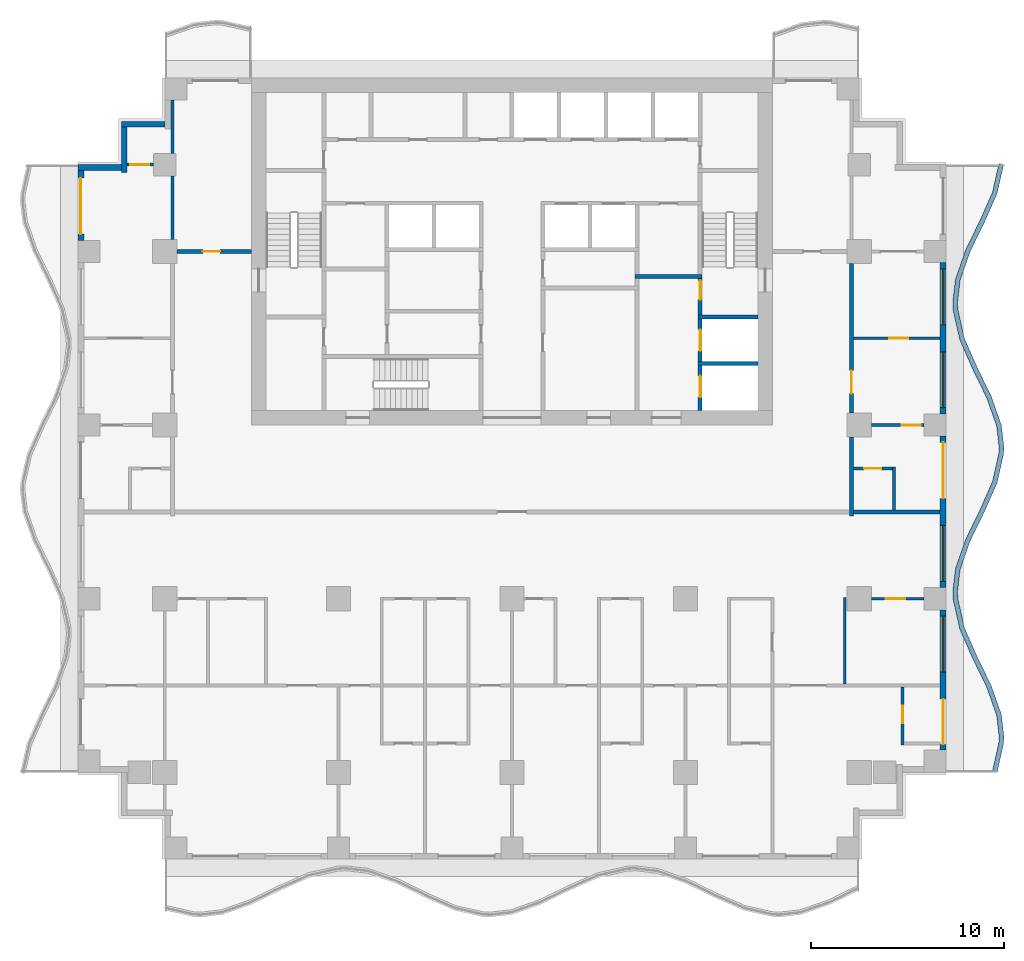
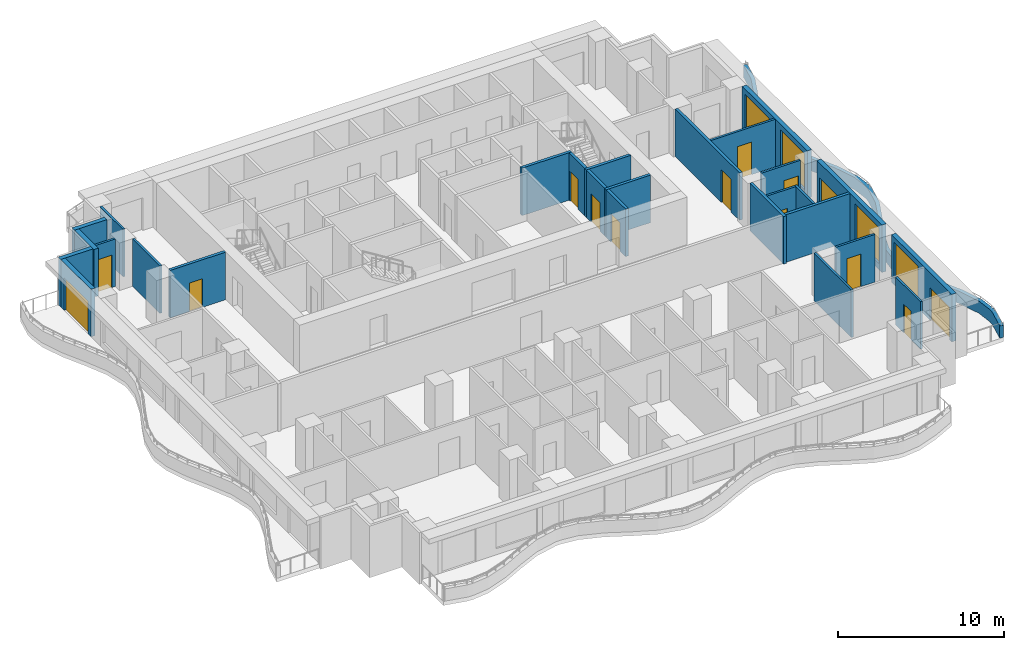
# One storey, part 4 of 10: 28 walls, 14 doors, 4 windows, 18 openings.
"""IFC4 building model written with IfcOpenShell, lengths in metres."""

from ifc_helpers import new_model, si_unit, direction, frame, frame_2d, origin, place, context, subcontext, project, spatial, polyline, rectangle, outline, extrude, material, layer, layer_set, type_object, element, fill, save


model = new_model("IFC4")

# Units and contexts
model_context = context("Model", 3, precision=1e-05, world=origin(), true_north=direction((0.0, 1.0)))
body_context = subcontext(model_context, "Body", "Model", "MODEL_VIEW")
ifc_project = project(units=[si_unit("LENGTHUNIT", "METRE"), si_unit("AREAUNIT", "SQUARE_METRE"), si_unit("VOLUMEUNIT", "CUBIC_METRE"), si_unit("PLANEANGLEUNIT", "RADIAN"), si_unit("MASSUNIT", "GRAM", prefix="KILO")], contexts=[model_context])

# Site, building, storey
site_placement = place(None, origin())
site = spatial("IfcSite", under=ifc_project, at=site_placement, CompositionType="ELEMENT")
building_placement = place(site_placement, origin())
building = spatial("IfcBuilding", under=site, at=building_placement, Name="Orbiselva Terraces", CompositionType="ELEMENT")
storey_placement = place(building_placement, frame((0.0, 0.0, 147.8)))
storey = spatial("IfcBuildingStorey", under=building, at=storey_placement, Name="L37", CompositionType="ELEMENT", Elevation=147.8)

# Wall
ifc_material_1 = material(Name="Concrete C60/75", Category="concrete")
ifc_layer_1 = layer(ifc_material_1, 0.2)
ifc_layer_set_1 = layer_set([ifc_layer_1], Name="Concrete C60/75")
wall_type_1 = type_object("IfcWallType", Name="CORE-WALL-SHEAR-200", PredefinedType="SHEAR", material=ifc_layer_set_1)
wall_1_placement = place(storey_placement, frame((6.375, 12.2, 0.0), z_axis=(0.0, 0.0, 1.0), x_axis=(1.0, 0.0, 0.0)))
element("IfcWall", 1, at=wall_1_placement, inside=storey, type_object=wall_type_1, Name="L37 core wall 39", PredefinedType="SHEAR", context=body_context, shape_type="SweptSolid", body=[
    extrude(rectangle(XDim=3.475, YDim=0.2, at=frame_2d((1.7375, 0.0))), origin(), (0.0, 0.0, 1.0), 3.5),
])

# Wall, opening, door
wall_2_placement = place(storey_placement, frame((9.75, 5.25, 0.0), z_axis=(0.0, 0.0, 1.0), x_axis=(0.0, 1.0, 0.0)))
wall_2 = element("IfcWall", 2, at=wall_2_placement, inside=storey, type_object=wall_type_1, Name="L37 core wall 43", PredefinedType="SHEAR", context=body_context, shape_type="SweptSolid", body=[
    extrude(rectangle(XDim=2.35, YDim=0.2, at=frame_2d((1.175, 0.0))), origin(), (0.0, 0.0, 1.0), 3.5),
])
opening_1_placement = place(wall_2_placement, frame((0.7, 0.0, 0.0)))
opening_1 = element("IfcOpeningElement", 3, at=opening_1_placement, cuts=wall_2, Name="Opening LD-FF1", PredefinedType="OPENING", context=body_context, shape_type="SweptSolid", body=[
    extrude(rectangle(XDim=1.1, YDim=2.1, at=frame_2d((0.55, 1.05))), frame((0.0, 0.11, 0.0), z_axis=(0.0, -1.0, 0.0), x_axis=(1.0, 0.0, 0.0)), (0.0, 0.0, 1.0), 0.22),
])
ifc_material_2 = material(Name="Stainless steel landing door", Category="steel")
door_type_1 = type_object("IfcDoorType", Name="LANDING DOOR 1100", OperationType="SLIDING_TO_LEFT", PredefinedType="DOOR", material=ifc_material_2)
door_1_placement = place(opening_1_placement, origin())
door_1 = element("IfcDoor", 4, at=door_1_placement, inside=storey, type_object=door_type_1, Name="L37 landing door FF1", OperationType="SLIDING_TO_RIGHT", OverallHeight=2.1, OverallWidth=1.1, PredefinedType="DOOR", context=body_context, shape_type="SweptSolid", body=[
    extrude(rectangle(XDim=1.1, YDim=2.1, at=frame_2d((0.55, 1.05))), frame((0.0, 0.025, 0.0), z_axis=(0.0, -1.0, 0.0), x_axis=(1.0, 0.0, 0.0)), (0.0, 0.0, 1.0), 0.05),
])
fill(opening_1, door_1)

# Wall
wall_3_placement = place(storey_placement, frame((9.65, 7.7, 0.0), z_axis=(0.0, 0.0, 1.0), x_axis=(1.0, 0.0, 0.0)))
element("IfcWall", 5, at=wall_3_placement, inside=storey, type_object=wall_type_1, Name="L37 core wall 44", PredefinedType="SHEAR", context=body_context, shape_type="SweptSolid", body=[
    extrude(rectangle(XDim=3.1, YDim=0.2, at=frame_2d((1.55, 0.0))), origin(), (0.0, 0.0, 1.0), 3.5),
])

# Wall, opening, door
wall_4_placement = place(storey_placement, frame((9.75, 7.8, 0.0), z_axis=(0.0, 0.0, 1.0), x_axis=(0.0, 1.0, 0.0)))
wall_4 = element("IfcWall", 6, at=wall_4_placement, inside=storey, type_object=wall_type_1, Name="L37 core wall 45", PredefinedType="SHEAR", context=body_context, shape_type="SweptSolid", body=[
    extrude(rectangle(XDim=2.2, YDim=0.2, at=frame_2d((1.1, 0.0))), origin(), (0.0, 0.0, 1.0), 3.5),
])
opening_2_placement = place(wall_4_placement, frame((0.55, 0.0, 0.0)))
opening_2 = element("IfcOpeningElement", 7, at=opening_2_placement, cuts=wall_4, Name="Opening LD-FF2", PredefinedType="OPENING", context=body_context, shape_type="SweptSolid", body=[
    extrude(rectangle(XDim=1.1, YDim=2.1, at=frame_2d((0.55, 1.05))), frame((0.0, 0.11, 0.0), z_axis=(0.0, -1.0, 0.0), x_axis=(1.0, 0.0, 0.0)), (0.0, 0.0, 1.0), 0.22),
])
door_2_placement = place(opening_2_placement, origin())
door_2 = element("IfcDoor", 8, at=door_2_placement, inside=storey, type_object=door_type_1, Name="L37 landing door FF2", OperationType="SLIDING_TO_RIGHT", OverallHeight=2.1, OverallWidth=1.1, PredefinedType="DOOR", context=body_context, shape_type="SweptSolid", body=[
    extrude(rectangle(XDim=1.1, YDim=2.1, at=frame_2d((0.55, 1.05))), frame((0.0, 0.025, 0.0), z_axis=(0.0, -1.0, 0.0), x_axis=(1.0, 0.0, 0.0)), (0.0, 0.0, 1.0), 0.05),
])
fill(opening_2, door_2)

# Wall
wall_5_placement = place(storey_placement, frame((9.65, 10.1, 0.0), z_axis=(0.0, 0.0, 1.0), x_axis=(1.0, 0.0, 0.0)))
element("IfcWall", 9, at=wall_5_placement, inside=storey, type_object=wall_type_1, Name="L37 core wall 46", PredefinedType="SHEAR", context=body_context, shape_type="SweptSolid", body=[
    extrude(rectangle(XDim=3.1, YDim=0.2, at=frame_2d((1.55, 0.0))), origin(), (0.0, 0.0, 1.0), 3.5),
])

# Wall, opening, door
wall_6_placement = place(storey_placement, frame((9.75, 12.1, 0.0), z_axis=(0.0, 0.0, 1.0), x_axis=(0.0, -1.0, 0.0)))
wall_6 = element("IfcWall", 10, at=wall_6_placement, inside=storey, type_object=wall_type_1, Name="L37 core wall 47", PredefinedType="SHEAR", context=body_context, shape_type="SweptSolid", body=[
    extrude(rectangle(XDim=1.9, YDim=0.2, at=frame_2d((0.95, 0.0))), origin(), (0.0, 0.0, 1.0), 3.5),
])
opening_3_placement = place(wall_6_placement, frame((0.1, 0.0, 0.0)))
opening_3 = element("IfcOpeningElement", 11, at=opening_3_placement, cuts=wall_6, Name="Opening DS1000", PredefinedType="OPENING", context=body_context, shape_type="SweptSolid", body=[
    extrude(rectangle(XDim=1.0, YDim=2.2, at=frame_2d((0.5, 1.1))), frame((0.0, 0.11, 0.0), z_axis=(0.0, -1.0, 0.0), x_axis=(1.0, 0.0, 0.0)), (0.0, 0.0, 1.0), 0.22),
])
ifc_material_3 = material(Name="Steel fire door", Category="steel")
door_type_2 = type_object("IfcDoorType", Name="STAIR DOOR 1000", OperationType="NOTDEFINED", PredefinedType="DOOR", material=ifc_material_3)
door_3_placement = place(opening_3_placement, origin())
door_3 = element("IfcDoor", 12, at=door_3_placement, inside=storey, type_object=door_type_2, Name="L37 FIRE-FIGHTING LOBBY TO EXIT STAIR S2 door", OperationType="SINGLE_SWING_LEFT", OverallHeight=2.2, OverallWidth=1.0, PredefinedType="DOOR", context=body_context, shape_type="SweptSolid", body=[
    extrude(rectangle(XDim=1.0, YDim=2.2, at=frame_2d((0.5, 1.1))), frame((0.0, 0.025, 0.0), z_axis=(0.0, -1.0, 0.0), x_axis=(1.0, 0.0, 0.0)), (0.0, 0.0, 1.0), 0.05),
])
fill(opening_3, door_3)

# Wall
ifc_material_4 = material(Name="Concrete C40/50", Category="concrete")
ifc_layer_2 = layer(ifc_material_4, 0.25)
ifc_layer_set_2 = layer_set([ifc_layer_2], Name="Concrete C40/50")
wall_type_2 = type_object("IfcWallType", Name="ENV-PLANTER-250x900", PredefinedType="USERDEFINED", material=ifc_layer_set_2)
wall_7_placement = place(storey_placement, origin())
element("IfcWall", 13, at=wall_7_placement, inside=storey, type_object=wall_type_2, Name="Balcony planter L37 E", ObjectType="PLANTER", PredefinedType="USERDEFINED", context=body_context, shape_type="SweptSolid", body=[
    extrude(outline(polyline([(25.148528, -13.5), (25.485226, -12.0), (25.5, -11.625), (25.369208, -10.5), (24.844789, -9.0), (24.112279, -7.5), (23.451472, -6.0), (23.114774, -4.5), (23.1, -4.125), (23.230792, -3.0), (23.755211, -1.5), (24.487721, 0.0), (25.148528, 1.5), (25.485226, 3.0), (25.5, 3.375), (25.369208, 4.5), (24.844789, 6.0), (24.112279, 7.5), (23.451472, 9.0), (23.114774, 10.5), (23.1, 10.875), (23.230792, 12.0), (23.755211, 13.5), (24.487721, 15.0), (25.148528, 16.5), (25.485226, 18.0), (25.241296, 18.054754), (24.90993, 16.578508), (24.260919, 15.105286), (23.524089, 13.59644), (22.985662, 12.056371), (22.849429, 10.884572), (22.865863, 10.467435), (23.212874, 8.921492), (23.885477, 7.394714), (24.613667, 5.90356), (25.124078, 4.443629), (25.249429, 3.365428), (25.236315, 3.032565), (24.90993, 1.578508), (24.260919, 0.105286), (23.524089, -1.40356), (22.985662, -2.943629), (22.849429, -4.115428), (22.865863, -4.532565), (23.212874, -6.078508), (23.885477, -7.605286), (24.613667, -9.09644), (25.124078, -10.556371), (25.249429, -11.634572), (25.236315, -11.967435), (24.904598, -13.445246), (25.148528, -13.5)])), origin(), (0.0, 0.0, 1.0), 0.9),
])

# Wall, openings, door, window
ifc_material_5 = material(Name="Terracotta cladding on masonry backing", Category="masonry")
ifc_layer_3 = layer(ifc_material_5, 0.3)
ifc_layer_set_3 = layer_set([ifc_layer_3], Name="Terracotta cladding on masonry backing")
wall_type_3 = type_object("IfcWallType", Name="ENV-WALL-TERRACOTTA-300", PredefinedType="SOLIDWALL", material=ifc_layer_set_3)
wall_8_placement = place(storey_placement, frame((22.35, -5.075, 0.0), z_axis=(0.0, 0.0, 1.0), x_axis=(0.0, -1.0, 0.0)))
wall_8 = element("IfcWall", 14, at=wall_8_placement, inside=storey, type_object=wall_type_3, Name="Facade wall L37 E", PredefinedType="SOLIDWALL", context=body_context, shape_type="SweptSolid", body=[
    extrude(rectangle(XDim=7.275, YDim=0.3, at=frame_2d((3.6375, 0.0))), origin(), (0.0, 0.0, 1.0), 3.5),
])
opening_4_placement = place(wall_8_placement, frame((4.625, 0.0, 0.0)))
opening_4 = element("IfcOpeningElement", 15, at=opening_4_placement, cuts=wall_8, Name="Opening Z3-C-E05", PredefinedType="OPENING", context=body_context, shape_type="SweptSolid", body=[
    extrude(rectangle(XDim=2.35, YDim=2.4, at=frame_2d((1.175, 1.2))), frame((0.0, 0.16, 0.0), z_axis=(0.0, -1.0, 0.0), x_axis=(1.0, 0.0, 0.0)), (0.0, 0.0, 1.0), 0.32),
])
opening_5_placement = place(wall_8_placement, frame((0.325, 0.0, 0.45)))
opening_5 = element("IfcOpeningElement", 16, at=opening_5_placement, cuts=wall_8, Name="Opening WN8", PredefinedType="OPENING", context=body_context, shape_type="SweptSolid", body=[
    extrude(rectangle(XDim=2.9, YDim=2.65, at=frame_2d((1.45, 1.325))), frame((0.0, 0.16, 0.0), z_axis=(0.0, -1.0, 0.0), x_axis=(1.0, 0.0, 0.0)), (0.0, 0.0, 1.0), 0.32),
])
ifc_material_6 = material(Name="Clear low-e glazing in aluminium frame", Category="aluminium")
door_type_3 = type_object("IfcDoorType", Name="BALCONY DOOR 2350 X 2400", OperationType="DOUBLE_DOOR_SLIDING", PredefinedType="DOOR", material=ifc_material_6)
door_4_placement = place(opening_4_placement, origin())
door_4 = element("IfcDoor", 17, at=door_4_placement, inside=storey, type_object=door_type_3, Name="Z3-C-E05", OperationType="SINGLE_SWING_LEFT", OverallHeight=2.4, OverallWidth=2.35, PredefinedType="DOOR", context=body_context, shape_type="SweptSolid", body=[
    extrude(rectangle(XDim=2.35, YDim=2.4, at=frame_2d((1.175, 1.2))), frame((0.0, 0.025, 0.0), z_axis=(0.0, -1.0, 0.0), x_axis=(1.0, 0.0, 0.0)), (0.0, 0.0, 1.0), 0.05),
])
fill(opening_4, door_4)
window_type = type_object("IfcWindowType", Name="WINDOW 2900 X 2650 S450", PartitioningType="TRIPLE_PANEL_VERTICAL", PredefinedType="WINDOW", material=ifc_material_6)
window_1_placement = place(opening_5_placement, origin())
window_1 = element("IfcWindow", 18, at=window_1_placement, inside=storey, type_object=window_type, Name="Window L37 E", OverallHeight=2.65, OverallWidth=2.9, PartitioningType="SINGLE_PANEL", PredefinedType="WINDOW", context=body_context, shape_type="SweptSolid", body=[
    extrude(rectangle(XDim=2.9, YDim=2.65, at=frame_2d((1.45, 1.325))), frame((0.0, 0.03, 0.0), z_axis=(0.0, -1.0, 0.0), x_axis=(1.0, 0.0, 0.0)), (0.0, 0.0, 1.0), 0.06),
])
fill(opening_5, window_1)

wall_9_placement = place(storey_placement, frame((22.35, 3.925, 0.0), z_axis=(0.0, 0.0, 1.0), x_axis=(0.0, -1.0, 0.0)))
wall_9 = element("IfcWall", 19, at=wall_9_placement, inside=storey, type_object=wall_type_3, Name="Facade wall L37 E", PredefinedType="SOLIDWALL", context=body_context, shape_type="SweptSolid", body=[
    extrude(rectangle(XDim=7.85, YDim=0.3, at=frame_2d((3.925, 0.0))), origin(), (0.0, 0.0, 1.0), 3.5),
])
opening_6_placement = place(wall_9_placement, frame((4.625, 0.0, 0.45)))
opening_6 = element("IfcOpeningElement", 20, at=opening_6_placement, cuts=wall_9, Name="Opening WN8", PredefinedType="OPENING", context=body_context, shape_type="SweptSolid", body=[
    extrude(rectangle(XDim=2.9, YDim=2.65, at=frame_2d((1.45, 1.325))), frame((0.0, 0.16, 0.0), z_axis=(0.0, -1.0, 0.0), x_axis=(1.0, 0.0, 0.0)), (0.0, 0.0, 1.0), 0.32),
])
opening_7_placement = place(wall_9_placement, frame((0.325, 0.0, 0.0)))
opening_7 = element("IfcOpeningElement", 21, at=opening_7_placement, cuts=wall_9, Name="Opening Z3-C-E06", PredefinedType="OPENING", context=body_context, shape_type="SweptSolid", body=[
    extrude(rectangle(XDim=2.9, YDim=2.4, at=frame_2d((1.45, 1.2))), frame((0.0, 0.16, 0.0), z_axis=(0.0, -1.0, 0.0), x_axis=(1.0, 0.0, 0.0)), (0.0, 0.0, 1.0), 0.32),
])
door_type_4 = type_object("IfcDoorType", Name="BALCONY DOOR 2900 X 2400", OperationType="DOUBLE_DOOR_SLIDING", PredefinedType="DOOR", material=ifc_material_6)
door_5_placement = place(opening_7_placement, origin())
door_5 = element("IfcDoor", 22, at=door_5_placement, inside=storey, type_object=door_type_4, Name="Z3-C-E06", OperationType="SINGLE_SWING_LEFT", OverallHeight=2.4, OverallWidth=2.9, PredefinedType="DOOR", context=body_context, shape_type="SweptSolid", body=[
    extrude(rectangle(XDim=2.9, YDim=2.4, at=frame_2d((1.45, 1.2))), frame((0.0, 0.025, 0.0), z_axis=(0.0, -1.0, 0.0), x_axis=(1.0, 0.0, 0.0)), (0.0, 0.0, 1.0), 0.05),
])
fill(opening_7, door_5)
window_2_placement = place(opening_6_placement, origin())
window_2 = element("IfcWindow", 23, at=window_2_placement, inside=storey, type_object=window_type, Name="Window L37 E", OverallHeight=2.65, OverallWidth=2.9, PartitioningType="SINGLE_PANEL", PredefinedType="WINDOW", context=body_context, shape_type="SweptSolid", body=[
    extrude(rectangle(XDim=2.9, YDim=2.65, at=frame_2d((1.45, 1.325))), frame((0.0, 0.03, 0.0), z_axis=(0.0, -1.0, 0.0), x_axis=(1.0, 0.0, 0.0)), (0.0, 0.0, 1.0), 0.06),
])
fill(opening_6, window_2)

# Wall, openings, windows
wall_10_placement = place(storey_placement, frame((22.35, 12.925, 0.0), z_axis=(0.0, 0.0, 1.0), x_axis=(0.0, -1.0, 0.0)))
wall_10 = element("IfcWall", 24, at=wall_10_placement, inside=storey, type_object=wall_type_3, Name="Facade wall L37 E", PredefinedType="SOLIDWALL", context=body_context, shape_type="SweptSolid", body=[
    extrude(rectangle(XDim=7.85, YDim=0.3, at=frame_2d((3.925, 0.0))), origin(), (0.0, 0.0, 1.0), 3.5),
])
opening_8_placement = place(wall_10_placement, frame((4.625, 0.0, 0.45)))
opening_8 = element("IfcOpeningElement", 25, at=opening_8_placement, cuts=wall_10, Name="Opening WN8", PredefinedType="OPENING", context=body_context, shape_type="SweptSolid", body=[
    extrude(rectangle(XDim=2.9, YDim=2.65, at=frame_2d((1.45, 1.325))), frame((0.0, 0.16, 0.0), z_axis=(0.0, -1.0, 0.0), x_axis=(1.0, 0.0, 0.0)), (0.0, 0.0, 1.0), 0.32),
])
opening_9_placement = place(wall_10_placement, frame((0.325, 0.0, 0.45)))
opening_9 = element("IfcOpeningElement", 26, at=opening_9_placement, cuts=wall_10, Name="Opening WN8", PredefinedType="OPENING", context=body_context, shape_type="SweptSolid", body=[
    extrude(rectangle(XDim=2.9, YDim=2.65, at=frame_2d((1.45, 1.325))), frame((0.0, 0.16, 0.0), z_axis=(0.0, -1.0, 0.0), x_axis=(1.0, 0.0, 0.0)), (0.0, 0.0, 1.0), 0.32),
])
window_3_placement = place(opening_8_placement, origin())
window_3 = element("IfcWindow", 27, at=window_3_placement, inside=storey, type_object=window_type, Name="Window L37 E", OverallHeight=2.65, OverallWidth=2.9, PartitioningType="SINGLE_PANEL", PredefinedType="WINDOW", context=body_context, shape_type="SweptSolid", body=[
    extrude(rectangle(XDim=2.9, YDim=2.65, at=frame_2d((1.45, 1.325))), frame((0.0, 0.03, 0.0), z_axis=(0.0, -1.0, 0.0), x_axis=(1.0, 0.0, 0.0)), (0.0, 0.0, 1.0), 0.06),
])
fill(opening_8, window_3)
window_4_placement = place(opening_9_placement, origin())
window_4 = element("IfcWindow", 28, at=window_4_placement, inside=storey, type_object=window_type, Name="Window L37 E", OverallHeight=2.65, OverallWidth=2.9, PartitioningType="SINGLE_PANEL", PredefinedType="WINDOW", context=body_context, shape_type="SweptSolid", body=[
    extrude(rectangle(XDim=2.9, YDim=2.65, at=frame_2d((1.45, 1.325))), frame((0.0, 0.03, 0.0), z_axis=(0.0, -1.0, 0.0), x_axis=(1.0, 0.0, 0.0)), (0.0, 0.0, 1.0), 0.06),
])
fill(opening_9, window_4)

# Walls
wall_11_placement = place(storey_placement, frame((-20.25, 20.1, 0.0), z_axis=(0.0, 0.0, 1.0), x_axis=(1.0, 0.0, 0.0)))
element("IfcWall", 29, at=wall_11_placement, inside=storey, type_object=wall_type_3, Name="Facade wall L37 STEP", PredefinedType="SOLIDWALL", context=body_context, shape_type="SweptSolid", body=[
    extrude(rectangle(XDim=2.25, YDim=0.3, at=frame_2d((1.125, 0.0))), origin(), (0.0, 0.0, 1.0), 3.5),
])
wall_12_placement = place(storey_placement, frame((-20.1, 17.6, 0.0), z_axis=(0.0, 0.0, 1.0), x_axis=(0.0, 1.0, 0.0)))
element("IfcWall", 30, at=wall_12_placement, inside=storey, type_object=wall_type_3, Name="Facade wall L37 STEP", PredefinedType="SOLIDWALL", context=body_context, shape_type="SweptSolid", body=[
    extrude(rectangle(XDim=2.35, YDim=0.3, at=frame_2d((1.175, 0.0))), origin(), (0.0, 0.0, 1.0), 3.5),
])
wall_13_placement = place(storey_placement, frame((-22.5, 17.85, 0.0), z_axis=(0.0, 0.0, 1.0), x_axis=(1.0, 0.0, 0.0)))
element("IfcWall", 31, at=wall_13_placement, inside=storey, type_object=wall_type_3, Name="Facade wall L37 STEP", PredefinedType="SOLIDWALL", context=body_context, shape_type="SweptSolid", body=[
    extrude(rectangle(XDim=2.25, YDim=0.3, at=frame_2d((1.125, 0.0))), origin(), (0.0, 0.0, 1.0), 3.5),
])

# Wall, opening, door
wall_14_placement = place(storey_placement, frame((-22.35, 14.075, 0.0), z_axis=(0.0, 0.0, 1.0), x_axis=(0.0, 1.0, 0.0)))
wall_14 = element("IfcWall", 32, at=wall_14_placement, inside=storey, type_object=wall_type_3, Name="Facade wall L37 W", PredefinedType="SOLIDWALL", context=body_context, shape_type="SweptSolid", body=[
    extrude(rectangle(XDim=3.625, YDim=0.3, at=frame_2d((1.8125, 0.0))), origin(), (0.0, 0.0, 1.0), 3.5),
])
opening_10_placement = place(wall_14_placement, frame((0.325, 0.0, 0.0)))
opening_10 = element("IfcOpeningElement", 33, at=opening_10_placement, cuts=wall_14, Name="Opening Z3-C-E10", PredefinedType="OPENING", context=body_context, shape_type="SweptSolid", body=[
    extrude(rectangle(XDim=2.9, YDim=2.4, at=frame_2d((1.45, 1.2))), frame((0.0, 0.16, 0.0), z_axis=(0.0, -1.0, 0.0), x_axis=(1.0, 0.0, 0.0)), (0.0, 0.0, 1.0), 0.32),
])
door_6_placement = place(opening_10_placement, origin())
door_6 = element("IfcDoor", 34, at=door_6_placement, inside=storey, type_object=door_type_4, Name="Z3-C-E10", OperationType="SINGLE_SWING_LEFT", OverallHeight=2.4, OverallWidth=2.9, PredefinedType="DOOR", context=body_context, shape_type="SweptSolid", body=[
    extrude(rectangle(XDim=2.9, YDim=2.4, at=frame_2d((1.45, 1.2))), frame((0.0, 0.025, 0.0), z_axis=(0.0, -1.0, 0.0), x_axis=(1.0, 0.0, 0.0)), (0.0, 0.0, 1.0), 0.05),
])
fill(opening_10, door_6)

ifc_material_7 = material(Name="Plasterboard on steel stud partition", Category="steel")
ifc_layer_4 = layer(ifc_material_7, 0.2)
ifc_layer_set_4 = layer_set([ifc_layer_4], Name="Plasterboard on steel stud partition")
wall_type_4 = type_object("IfcWallType", Name="UNIT-ENTRANCE-WALL-200", PredefinedType="PARTITIONING", material=ifc_layer_set_4)
wall_15_placement = place(storey_placement, frame((-17.375, 13.5, 0.0), z_axis=(0.0, 0.0, 1.0), x_axis=(1.0, 0.0, 0.0)))
wall_15 = element("IfcWall", 35, at=wall_15_placement, inside=storey, type_object=wall_type_4, Name="PARTITION L37-031", PredefinedType="PARTITIONING", context=body_context, shape_type="SweptSolid", body=[
    extrude(rectangle(XDim=3.875, YDim=0.2, at=frame_2d((1.9375, 0.0))), origin(), (0.0, 0.0, 1.0), 3.5),
])
opening_11_placement = place(wall_15_placement, frame((1.35, 0.0, 0.0)))
opening_11 = element("IfcOpeningElement", 36, at=opening_11_placement, cuts=wall_15, Name="Opening Z3-C-01", PredefinedType="OPENING", context=body_context, shape_type="SweptSolid", body=[
    extrude(rectangle(XDim=0.9, YDim=2.1, at=frame_2d((0.45, 1.05))), frame((0.0, 0.11, 0.0), z_axis=(0.0, -1.0, 0.0), x_axis=(1.0, 0.0, 0.0)), (0.0, 0.0, 1.0), 0.22),
])
ifc_material_8 = material(Name="Painted timber door leaf", Category="wood")
door_type_5 = type_object("IfcDoorType", Name="SERVICE DOOR 900", OperationType="NOTDEFINED", PredefinedType="DOOR", material=ifc_material_8)
door_7_placement = place(opening_11_placement, origin())
door_7 = element("IfcDoor", 37, at=door_7_placement, inside=storey, type_object=door_type_5, Name="Z3-C-01", OperationType="SINGLE_SWING_LEFT", OverallHeight=2.1, OverallWidth=0.9, PredefinedType="DOOR", context=body_context, shape_type="SweptSolid", body=[
    extrude(rectangle(XDim=0.9, YDim=2.1, at=frame_2d((0.45, 1.05))), frame((0.0, 0.025, 0.0), z_axis=(0.0, -1.0, 0.0), x_axis=(1.0, 0.0, 0.0)), (0.0, 0.0, 1.0), 0.05),
])
fill(opening_11, door_7)

# Wall
wall_16_placement = place(storey_placement, frame((17.6, -0.2, 0.0), z_axis=(0.0, 0.0, 1.0), x_axis=(0.0, 1.0, 0.0)))
element("IfcWall", 38, at=wall_16_placement, inside=storey, type_object=wall_type_4, Name="PARTITION L37-059", PredefinedType="PARTITIONING", context=body_context, shape_type="SweptSolid", body=[
    extrude(rectangle(XDim=4.075, YDim=0.2, at=frame_2d((2.0375, 0.0))), origin(), (0.0, 0.0, 1.0), 3.5),
])

# Wall, opening, door
wall_17_placement = place(storey_placement, frame((17.6, 12.875, 0.0), z_axis=(0.0, 0.0, 1.0), x_axis=(0.0, -1.0, 0.0)))
wall_17 = element("IfcWall", 39, at=wall_17_placement, inside=storey, type_object=wall_type_4, Name="PARTITION L37-060", PredefinedType="PARTITIONING", context=body_context, shape_type="SweptSolid", body=[
    extrude(rectangle(XDim=7.75, YDim=0.2, at=frame_2d((3.875, 0.0))), origin(), (0.0, 0.0, 1.0), 3.5),
])
opening_12_placement = place(wall_17_placement, frame((5.55, 0.0, 0.0)))
opening_12 = element("IfcOpeningElement", 40, at=opening_12_placement, cuts=wall_17, Name="Opening Z3-C-10", PredefinedType="OPENING", context=body_context, shape_type="SweptSolid", body=[
    extrude(rectangle(XDim=1.2, YDim=2.4, at=frame_2d((0.6, 1.2))), frame((0.0, 0.11, 0.0), z_axis=(0.0, -1.0, 0.0), x_axis=(1.0, 0.0, 0.0)), (0.0, 0.0, 1.0), 0.22),
])
door_type_6 = type_object("IfcDoorType", Name="ENTRANCE DOOR 1200", OperationType="NOTDEFINED", PredefinedType="DOOR", material=ifc_material_8)
door_8_placement = place(opening_12_placement, origin())
door_8 = element("IfcDoor", 41, at=door_8_placement, inside=storey, type_object=door_type_6, Name="Z3-C-10", OperationType="SINGLE_SWING_RIGHT", OverallHeight=2.4, OverallWidth=1.2, PredefinedType="DOOR", context=body_context, shape_type="SweptSolid", body=[
    extrude(rectangle(XDim=1.2, YDim=2.4, at=frame_2d((0.6, 1.2))), frame((0.0, 0.025, 0.0), z_axis=(0.0, -1.0, 0.0), x_axis=(1.0, 0.0, 0.0)), (0.0, 0.0, 1.0), 0.05),
])
fill(opening_12, door_8)

ifc_layer_5 = layer(ifc_material_7, 0.15)
ifc_layer_set_5 = layer_set([ifc_layer_5], Name="Plasterboard on steel stud partition")
wall_type_5 = type_object("IfcWallType", Name="UNIT-PARTITION-150", PredefinedType="PARTITIONING", material=ifc_layer_set_5)
wall_18_placement = place(storey_placement, frame((21.35, -4.5, 0.0), z_axis=(0.0, 0.0, 1.0), x_axis=(-1.0, 0.0, 0.0)))
wall_18 = element("IfcWall", 42, at=wall_18_placement, inside=storey, type_object=wall_type_5, Name="PARTITION L37-021", PredefinedType="PARTITIONING", context=body_context, shape_type="SweptSolid", body=[
    extrude(rectangle(XDim=2.725, YDim=0.15, at=frame_2d((1.3625, 0.0))), origin(), (0.0, 0.0, 1.0), 3.5),
])
opening_13_placement = place(wall_18_placement, frame((0.975, 0.0, 0.0)))
opening_13 = element("IfcOpeningElement", 43, at=opening_13_placement, cuts=wall_18, Name="Opening Z3-C-14", PredefinedType="OPENING", context=body_context, shape_type="SweptSolid", body=[
    extrude(rectangle(XDim=1.0, YDim=2.4, at=frame_2d((0.5, 1.2))), frame((0.0, 0.085, 0.0), z_axis=(0.0, -1.0, 0.0), x_axis=(1.0, 0.0, 0.0)), (0.0, 0.0, 1.0), 0.17),
])
door_type_7 = type_object("IfcDoorType", Name="ROOM DOOR 1000", OperationType="NOTDEFINED", PredefinedType="DOOR", material=ifc_material_8)
door_9_placement = place(opening_13_placement, origin())
door_9 = element("IfcDoor", 44, at=door_9_placement, inside=storey, type_object=door_type_7, Name="Z3-C-14", OperationType="SINGLE_SWING_RIGHT", OverallHeight=2.4, OverallWidth=1.0, PredefinedType="DOOR", context=body_context, shape_type="SweptSolid", body=[
    extrude(rectangle(XDim=1.0, YDim=2.4, at=frame_2d((0.5, 1.2))), frame((0.0, 0.025, 0.0), z_axis=(0.0, -1.0, 0.0), x_axis=(1.0, 0.0, 0.0)), (0.0, 0.0, 1.0), 0.05),
])
fill(opening_13, door_9)

wall_19_placement = place(storey_placement, frame((19.73, 2.25, 0.0), z_axis=(0.0, 0.0, 1.0), x_axis=(-1.0, 0.0, 0.0)))
wall_19 = element("IfcWall", 45, at=wall_19_placement, inside=storey, type_object=wall_type_5, Name="PARTITION L37-026", PredefinedType="PARTITIONING", context=body_context, shape_type="SweptSolid", body=[
    extrude(rectangle(XDim=2.03, YDim=0.15, at=frame_2d((1.015, 0.0))), origin(), (0.0, 0.0, 1.0), 3.5),
])
opening_14_placement = place(wall_19_placement, frame((0.58, 0.0, 0.0)))
opening_14 = element("IfcOpeningElement", 46, at=opening_14_placement, cuts=wall_19, Name="Opening Z3-C-09", PredefinedType="OPENING", context=body_context, shape_type="SweptSolid", body=[
    extrude(rectangle(XDim=0.9, YDim=2.1, at=frame_2d((0.45, 1.05))), frame((0.0, 0.085, 0.0), z_axis=(0.0, -1.0, 0.0), x_axis=(1.0, 0.0, 0.0)), (0.0, 0.0, 1.0), 0.17),
])
door_type_8 = type_object("IfcDoorType", Name="BATH DOOR 900", OperationType="NOTDEFINED", PredefinedType="DOOR", material=ifc_material_8)
door_10_placement = place(opening_14_placement, origin())
door_10 = element("IfcDoor", 47, at=door_10_placement, inside=storey, type_object=door_type_8, Name="Z3-C-09", OperationType="SINGLE_SWING_RIGHT", OverallHeight=2.1, OverallWidth=0.9, PredefinedType="DOOR", context=body_context, shape_type="SweptSolid", body=[
    extrude(rectangle(XDim=0.9, YDim=2.1, at=frame_2d((0.45, 1.05))), frame((0.0, 0.025, 0.0), z_axis=(0.0, -1.0, 0.0), x_axis=(1.0, 0.0, 0.0)), (0.0, 0.0, 1.0), 0.05),
])
fill(opening_14, door_10)

wall_20_placement = place(storey_placement, frame((21.35, 4.5, 0.0), z_axis=(0.0, 0.0, 1.0), x_axis=(-1.0, 0.0, 0.0)))
wall_20 = element("IfcWall", 48, at=wall_20_placement, inside=storey, type_object=wall_type_5, Name="PARTITION L37-028", PredefinedType="PARTITIONING", context=body_context, shape_type="SweptSolid", body=[
    extrude(rectangle(XDim=2.725, YDim=0.15, at=frame_2d((1.3625, 0.0))), origin(), (0.0, 0.0, 1.0), 3.5),
])
opening_15_placement = place(wall_20_placement, frame((0.15, 0.0, 0.0)))
opening_15 = element("IfcOpeningElement", 49, at=opening_15_placement, cuts=wall_20, Name="Opening Z3-C-08", PredefinedType="OPENING", context=body_context, shape_type="SweptSolid", body=[
    extrude(rectangle(XDim=1.0, YDim=2.4, at=frame_2d((0.5, 1.2))), frame((0.0, 0.085, 0.0), z_axis=(0.0, -1.0, 0.0), x_axis=(1.0, 0.0, 0.0)), (0.0, 0.0, 1.0), 0.17),
])
door_11_placement = place(opening_15_placement, origin())
door_11 = element("IfcDoor", 50, at=door_11_placement, inside=storey, type_object=door_type_7, Name="Z3-C-08", OperationType="SINGLE_SWING_LEFT", OverallHeight=2.4, OverallWidth=1.0, PredefinedType="DOOR", context=body_context, shape_type="SweptSolid", body=[
    extrude(rectangle(XDim=1.0, YDim=2.4, at=frame_2d((0.5, 1.2))), frame((0.0, 0.025, 0.0), z_axis=(0.0, -1.0, 0.0), x_axis=(1.0, 0.0, 0.0)), (0.0, 0.0, 1.0), 0.05),
])
fill(opening_15, door_11)

wall_21_placement = place(storey_placement, frame((17.7, 9.0, 0.0), z_axis=(0.0, 0.0, 1.0), x_axis=(1.0, 0.0, 0.0)))
wall_21 = element("IfcWall", 51, at=wall_21_placement, inside=storey, type_object=wall_type_5, Name="PARTITION L37-030", PredefinedType="PARTITIONING", context=body_context, shape_type="SweptSolid", body=[
    extrude(rectangle(XDim=4.5, YDim=0.15, at=frame_2d((2.25, 0.0))), origin(), (0.0, 0.0, 1.0), 3.5),
])
opening_16_placement = place(wall_21_placement, frame((1.85, 0.0, 0.0)))
opening_16 = element("IfcOpeningElement", 52, at=opening_16_placement, cuts=wall_21, Name="Opening Z3-C-11", PredefinedType="OPENING", context=body_context, shape_type="SweptSolid", body=[
    extrude(rectangle(XDim=1.0, YDim=2.4, at=frame_2d((0.5, 1.2))), frame((0.0, 0.085, 0.0), z_axis=(0.0, -1.0, 0.0), x_axis=(1.0, 0.0, 0.0)), (0.0, 0.0, 1.0), 0.17),
])
door_12_placement = place(opening_16_placement, origin())
door_12 = element("IfcDoor", 53, at=door_12_placement, inside=storey, type_object=door_type_7, Name="Z3-C-11", OperationType="SINGLE_SWING_RIGHT", OverallHeight=2.4, OverallWidth=1.0, PredefinedType="DOOR", context=body_context, shape_type="SweptSolid", body=[
    extrude(rectangle(XDim=1.0, YDim=2.4, at=frame_2d((0.5, 1.2))), frame((0.0, 0.025, 0.0), z_axis=(0.0, -1.0, 0.0), x_axis=(1.0, 0.0, 0.0)), (0.0, 0.0, 1.0), 0.05),
])
fill(opening_16, door_12)

wall_22_placement = place(storey_placement, frame((-19.95, 18.0, 0.0), z_axis=(0.0, 0.0, 1.0), x_axis=(1.0, 0.0, 0.0)))
wall_22 = element("IfcWall", 54, at=wall_22_placement, inside=storey, type_object=wall_type_5, Name="PARTITION L37-034", PredefinedType="PARTITIONING", context=body_context, shape_type="SweptSolid", body=[
    extrude(rectangle(XDim=1.375, YDim=0.15, at=frame_2d((0.6875, 0.0))), origin(), (0.0, 0.0, 1.0), 3.5),
])
opening_17_placement = place(wall_22_placement, frame((0.15, 0.0, 0.0)))
opening_17 = element("IfcOpeningElement", 55, at=opening_17_placement, cuts=wall_22, Name="Opening Z3-C-07", PredefinedType="OPENING", context=body_context, shape_type="SweptSolid", body=[
    extrude(rectangle(XDim=1.0, YDim=2.4, at=frame_2d((0.5, 1.2))), frame((0.0, 0.085, 0.0), z_axis=(0.0, -1.0, 0.0), x_axis=(1.0, 0.0, 0.0)), (0.0, 0.0, 1.0), 0.17),
])
door_13_placement = place(opening_17_placement, origin())
door_13 = element("IfcDoor", 56, at=door_13_placement, inside=storey, type_object=door_type_7, Name="Z3-C-07", OperationType="SINGLE_SWING_LEFT", OverallHeight=2.4, OverallWidth=1.0, PredefinedType="DOOR", context=body_context, shape_type="SweptSolid", body=[
    extrude(rectangle(XDim=1.0, YDim=2.4, at=frame_2d((0.5, 1.2))), frame((0.0, 0.025, 0.0), z_axis=(0.0, -1.0, 0.0), x_axis=(1.0, 0.0, 0.0)), (0.0, 0.0, 1.0), 0.05),
])
fill(opening_17, door_13)

# Walls
wall_23_placement = place(storey_placement, frame((-17.6, 14.125, 0.0), z_axis=(0.0, 0.0, 1.0), x_axis=(0.0, 1.0, 0.0)))
element("IfcWall", 57, at=wall_23_placement, inside=storey, type_object=wall_type_5, Name="PARTITION L37-040", PredefinedType="PARTITIONING", context=body_context, shape_type="SweptSolid", body=[
    extrude(rectangle(XDim=3.3, YDim=0.15, at=frame_2d((1.65, 0.0))), origin(), (0.0, 0.0, 1.0), 3.5),
])
wall_24_placement = place(storey_placement, frame((-17.6, 18.575, 0.0), z_axis=(0.0, 0.0, 1.0), x_axis=(0.0, 1.0, 0.0)))
element("IfcWall", 58, at=wall_24_placement, inside=storey, type_object=wall_type_5, Name="PARTITION L37-041", PredefinedType="PARTITIONING", context=body_context, shape_type="SweptSolid", body=[
    extrude(rectangle(XDim=2.775, YDim=0.15, at=frame_2d((1.3875, 0.0))), origin(), (0.0, 0.0, 1.0), 3.5),
])
wall_25_placement = place(storey_placement, frame((17.25, -8.925, 0.0), z_axis=(0.0, 0.0, 1.0), x_axis=(0.0, 1.0, 0.0)))
element("IfcWall", 59, at=wall_25_placement, inside=storey, type_object=wall_type_5, Name="PARTITION L37-058", PredefinedType="PARTITIONING", context=body_context, shape_type="SweptSolid", body=[
    extrude(rectangle(XDim=4.5, YDim=0.15, at=frame_2d((2.25, 0.0))), origin(), (0.0, 0.0, 1.0), 3.5),
])
wall_26_placement = place(storey_placement, frame((19.805, 0.1, 0.0), z_axis=(0.0, 0.0, 1.0), x_axis=(0.0, 1.0, 0.0)))
element("IfcWall", 60, at=wall_26_placement, inside=storey, type_object=wall_type_5, Name="PARTITION L37-063", PredefinedType="PARTITIONING", context=body_context, shape_type="SweptSolid", body=[
    extrude(rectangle(XDim=2.225, YDim=0.15, at=frame_2d((1.1125, 0.0))), origin(), (0.0, 0.0, 1.0), 3.5),
])

# Wall, opening, door
wall_27_placement = place(storey_placement, frame((20.25, -9.075, 0.0), z_axis=(0.0, 0.0, 1.0), x_axis=(0.0, -1.0, 0.0)))
wall_27 = element("IfcWall", 61, at=wall_27_placement, inside=storey, type_object=wall_type_5, Name="PARTITION L37-064", PredefinedType="PARTITIONING", context=body_context, shape_type="SweptSolid", body=[
    extrude(rectangle(XDim=3.0, YDim=0.15, at=frame_2d((1.5, 0.0))), origin(), (0.0, 0.0, 1.0), 3.5),
])
opening_18_placement = place(wall_27_placement, frame((0.975, 0.0, 0.0)))
opening_18 = element("IfcOpeningElement", 62, at=opening_18_placement, cuts=wall_27, Name="Opening Z3-C-23", PredefinedType="OPENING", context=body_context, shape_type="SweptSolid", body=[
    extrude(rectangle(XDim=0.9, YDim=2.1, at=frame_2d((0.45, 1.05))), frame((0.0, 0.085, 0.0), z_axis=(0.0, -1.0, 0.0), x_axis=(1.0, 0.0, 0.0)), (0.0, 0.0, 1.0), 0.17),
])
door_14_placement = place(opening_18_placement, origin())
door_14 = element("IfcDoor", 63, at=door_14_placement, inside=storey, type_object=door_type_8, Name="Z3-C-23", OperationType="SINGLE_SWING_LEFT", OverallHeight=2.1, OverallWidth=0.9, PredefinedType="DOOR", context=body_context, shape_type="SweptSolid", body=[
    extrude(rectangle(XDim=0.9, YDim=2.1, at=frame_2d((0.45, 1.05))), frame((0.0, 0.025, 0.0), z_axis=(0.0, -1.0, 0.0), x_axis=(1.0, 0.0, 0.0)), (0.0, 0.0, 1.0), 0.05),
])
fill(opening_18, door_14)

# Wall
ifc_layer_6 = layer(ifc_material_7, 0.2)
ifc_layer_set_6 = layer_set([ifc_layer_6], Name="Plasterboard on steel stud partition")
wall_type_6 = type_object("IfcWallType", Name="UNIT-PARTY-WALL-200", PredefinedType="PARTITIONING", material=ifc_layer_set_6)
wall_28_placement = place(storey_placement, frame((17.7, 0.0, 0.0), z_axis=(0.0, 0.0, 1.0), x_axis=(1.0, 0.0, 0.0)))
element("IfcWall", 64, at=wall_28_placement, inside=storey, type_object=wall_type_6, Name="PARTITION L37-024", PredefinedType="PARTITIONING", context=body_context, shape_type="SweptSolid", body=[
    extrude(rectangle(XDim=4.5, YDim=0.2, at=frame_2d((2.25, 0.0))), origin(), (0.0, 0.0, 1.0), 3.5),
])

save(model, "model.ifc")
